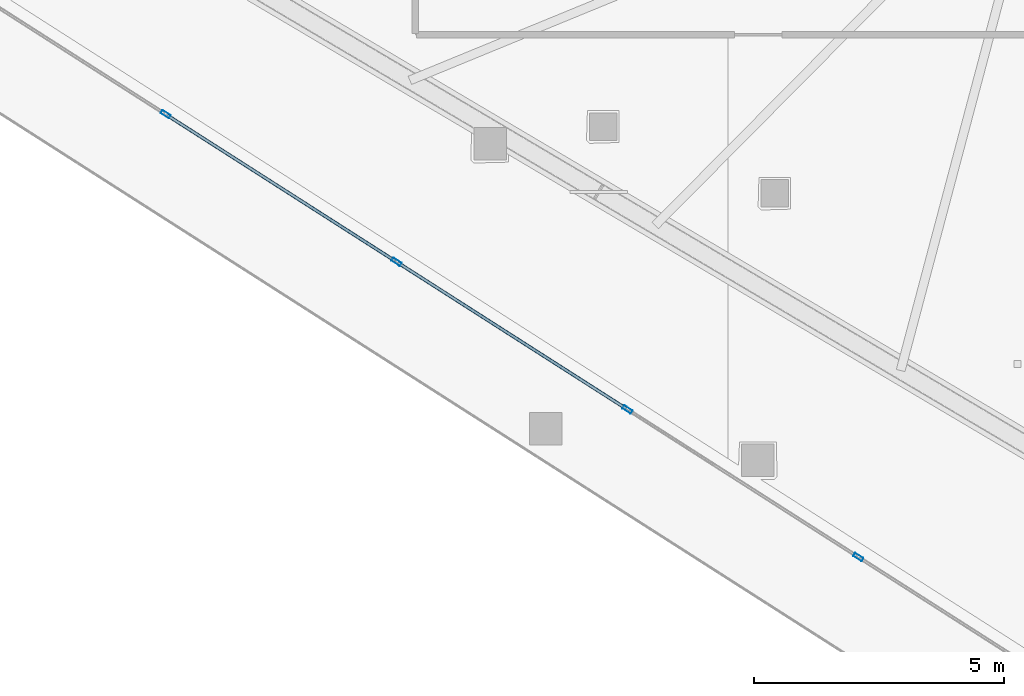
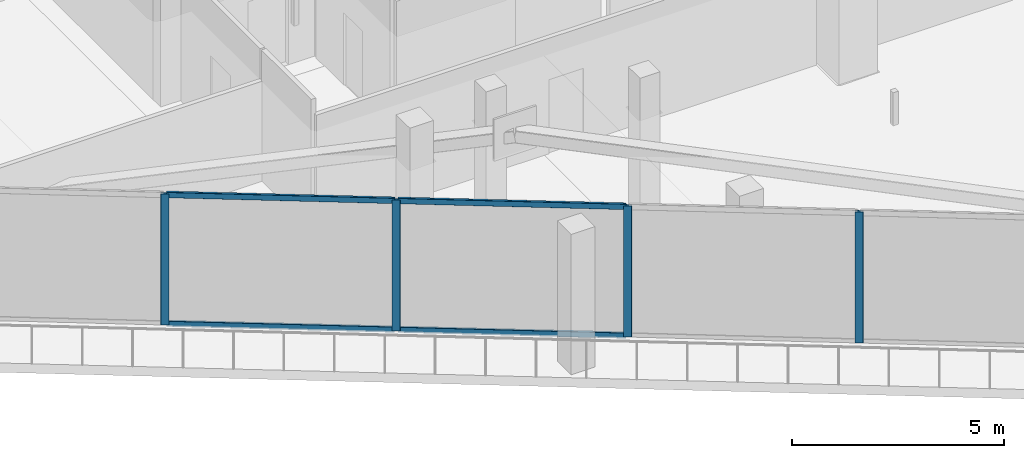
# One storey, part 2 of 43: 8 members, 1 element without a shape of its own.
"""IFC4 building model written with IfcOpenShell, lengths in metres."""

from ifc_helpers import new_model, si_unit, direction, frame, origin, origin_2d, place, context, subcontext, project, spatial, hollow_rectangle, extrude, material, layer, layer_set, material_profile, profile_set, type_object, element, aggregate, save


model = new_model("IFC4")

# Units and contexts
model_context = context("Model", 3, precision=1e-05, world=origin(), true_north=direction((0.0, 1.0)))
body_context = subcontext(model_context, "Body", "Model", "MODEL_VIEW")
ifc_project = project(units=[si_unit("LENGTHUNIT", "METRE"), si_unit("AREAUNIT", "SQUARE_METRE"), si_unit("VOLUMEUNIT", "CUBIC_METRE"), si_unit("PLANEANGLEUNIT", "RADIAN"), si_unit("MASSUNIT", "GRAM", prefix="KILO")], contexts=[model_context])

# Site, building, storey
site_placement = place(None, origin())
site = spatial("IfcSite", under=ifc_project, at=site_placement, CompositionType="ELEMENT")
building_placement = place(site_placement, origin())
building = spatial("IfcBuilding", under=site, at=building_placement, Name="Qorvath Tower", CompositionType="ELEMENT")
storey_placement = place(building_placement, frame((0.0, 0.0, 150.300048828125)))
storey = spatial("IfcBuildingStorey", under=building, at=storey_placement, Name="L34", CompositionType="ELEMENT", Elevation=150.300048828125)

# Curtain wall, members
ifc_material_1 = material(Name="Anodised aluminium and triple low-E glass", Category="aluminium")
ifc_layer = layer(ifc_material_1, 0.179931640625)
ifc_layer_set = layer_set([ifc_layer], Name="CW-SYS-5")
curtain_wall_type = type_object("IfcCurtainWallType", Name="CW-SYS-5", PredefinedType="NOTDEFINED", material=ifc_layer_set)
curtain_wall_placement = place(storey_placement, origin())
curtain_wall = element("IfcCurtainWall", 1, at=curtain_wall_placement, inside=storey, type_object=curtain_wall_type, Name="Curtain Wall CW-5 CW-T-L34-18.1", PredefinedType="NOTDEFINED")
ifc_material_2 = material(Name="Anodised aluminium 6063-T6", Category="aluminium")
ifc_material_profile_1 = material_profile(ifc_material_2, hollow_rectangle(XDim=0.074951171875, YDim=0.199951171875, WallThickness=0.00390625, InnerFilletRadius=0.00390625, OuterFilletRadius=0.008056640625, at=origin_2d()), Name="CWM 200x75")
ifc_profile_set_1 = profile_set([ifc_material_profile_1], Name="Anodised aluminium 6063-T6")
member_type_1 = type_object("IfcMemberType", Name="CWM-200", PredefinedType="MULLION", material=ifc_profile_set_1)
member_1_placement = place(storey_placement, frame((-42.846435546875, -12.547119140625, 0.0), z_axis=(0.0, 0.0, 1.0), x_axis=(0.538536247531, 0.842602343989, 0.0)))
member_1 = element("IfcMember", 2, at=member_1_placement, type_object=member_type_1, Name="CW-5 mullion 4", PredefinedType="MULLION", context=body_context, shape_type="SweptSolid", body=[
    extrude(hollow_rectangle(XDim=0.074951171875, YDim=0.199951171875, WallThickness=0.00390625, InnerFilletRadius=0.00390625, OuterFilletRadius=0.008056640625, at=origin_2d()), origin(), (0.0, 0.0, 1.0), 3.780029296875),
])
member_2_placement = place(storey_placement, frame((-38.23388671875, -15.4951171875, 0.0), z_axis=(0.0, 0.0, 1.0), x_axis=(0.538536247531, 0.842602343989, 0.0)))
member_2 = element("IfcMember", 3, at=member_2_placement, type_object=member_type_1, Name="CW-5 mullion 5", PredefinedType="MULLION", context=body_context, shape_type="SweptSolid", body=[
    extrude(hollow_rectangle(XDim=0.074951171875, YDim=0.199951171875, WallThickness=0.00390625, InnerFilletRadius=0.00390625, OuterFilletRadius=0.008056640625, at=origin_2d()), origin(), (0.0, 0.0, 1.0), 3.780029296875),
])
member_3_placement = place(storey_placement, frame((-33.621337890625, -18.443115234375, 0.0), z_axis=(0.0, 0.0, 1.0), x_axis=(0.538536247531, 0.842602343989, 0.0)))
member_3 = element("IfcMember", 4, at=member_3_placement, type_object=member_type_1, Name="CW-5 mullion 6", PredefinedType="MULLION", context=body_context, shape_type="SweptSolid", body=[
    extrude(hollow_rectangle(XDim=0.074951171875, YDim=0.199951171875, WallThickness=0.00390625, InnerFilletRadius=0.00390625, OuterFilletRadius=0.008056640625, at=origin_2d()), origin(), (0.0, 0.0, 1.0), 3.780029296875),
])
member_4_placement = place(storey_placement, frame((-29.0087890625, -21.39111328125, 0.0), z_axis=(0.0, 0.0, 1.0), x_axis=(0.538536247531, 0.842602343989, 0.0)))
member_4 = element("IfcMember", 5, at=member_4_placement, type_object=member_type_1, Name="CW-5 mullion 7", PredefinedType="MULLION", context=body_context, shape_type="SweptSolid", body=[
    extrude(hollow_rectangle(XDim=0.074951171875, YDim=0.199951171875, WallThickness=0.00390625, InnerFilletRadius=0.00390625, OuterFilletRadius=0.008056640625, at=origin_2d()), origin(), (0.0, 0.0, 1.0), 3.780029296875),
])
ifc_material_3 = material(Name="Anodised aluminium 6063-T6", Category="aluminium")
ifc_material_profile_2 = material_profile(ifc_material_3, hollow_rectangle(XDim=0.06494140625, YDim=0.159912109375, WallThickness=0.00341796875, InnerFilletRadius=0.00341796875, OuterFilletRadius=0.007080078125, at=origin_2d()), Name="CWT 160x65")
ifc_profile_set_2 = profile_set([ifc_material_profile_2], Name="Anodised aluminium 6063-T6")
member_type_2 = type_object("IfcMemberType", Name="CWT-160", PredefinedType="USERDEFINED", material=ifc_profile_set_2)
member_5_placement = place(storey_placement, frame((-42.814697265625, -12.5673828125, 0.032470703125), z_axis=(0.842615326436, -0.538515934449, 0.0), x_axis=(0.538515934449, 0.842615326436, 0.0)))
member_5 = element("IfcMember", 6, at=member_5_placement, type_object=member_type_2, Name="CW-5 transom 4.1", ObjectType="TRANSOM", PredefinedType="USERDEFINED", context=body_context, shape_type="SweptSolid", body=[
    extrude(hollow_rectangle(XDim=0.06494140625, YDim=0.159912109375, WallThickness=0.00341796875, InnerFilletRadius=0.00341796875, OuterFilletRadius=0.007080078125, at=origin_2d()), origin(), (0.0, 0.0, 1.0), 5.39892578125),
])
member_6_placement = place(storey_placement, frame((-42.814697265625, -12.5673828125, 3.74755859375), z_axis=(0.842615326436, -0.538515934449, 0.0), x_axis=(0.538515934449, 0.842615326436, 0.0)))
member_6 = element("IfcMember", 7, at=member_6_placement, type_object=member_type_2, Name="CW-5 transom 4.2", ObjectType="TRANSOM", PredefinedType="USERDEFINED", context=body_context, shape_type="SweptSolid", body=[
    extrude(hollow_rectangle(XDim=0.06494140625, YDim=0.159912109375, WallThickness=0.00341796875, InnerFilletRadius=0.00341796875, OuterFilletRadius=0.007080078125, at=origin_2d()), origin(), (0.0, 0.0, 1.0), 5.39892578125),
])
member_7_placement = place(storey_placement, frame((-38.2021484375, -15.515380859375, 0.032470703125), z_axis=(0.842602212133, -0.538536453834, 0.0), x_axis=(0.538536453834, 0.842602212133, 0.0)))
member_7 = element("IfcMember", 8, at=member_7_placement, type_object=member_type_2, Name="CW-5 transom 5.1", ObjectType="TRANSOM", PredefinedType="USERDEFINED", context=body_context, shape_type="SweptSolid", body=[
    extrude(hollow_rectangle(XDim=0.06494140625, YDim=0.159912109375, WallThickness=0.00341796875, InnerFilletRadius=0.00341796875, OuterFilletRadius=0.007080078125, at=origin_2d()), origin(), (0.0, 0.0, 1.0), 5.39892578125),
])
member_8_placement = place(storey_placement, frame((-38.2021484375, -15.515380859375, 3.74755859375), z_axis=(0.842602212133, -0.538536453834, 0.0), x_axis=(0.538536453834, 0.842602212133, 0.0)))
member_8 = element("IfcMember", 9, at=member_8_placement, type_object=member_type_2, Name="CW-5 transom 5.2", ObjectType="TRANSOM", PredefinedType="USERDEFINED", context=body_context, shape_type="SweptSolid", body=[
    extrude(hollow_rectangle(XDim=0.06494140625, YDim=0.159912109375, WallThickness=0.00341796875, InnerFilletRadius=0.00341796875, OuterFilletRadius=0.007080078125, at=origin_2d()), origin(), (0.0, 0.0, 1.0), 5.39892578125),
])
aggregate(curtain_wall, [member_1, member_2, member_3, member_4, member_5, member_6, member_7, member_8])

save(model, "model.ifc")
